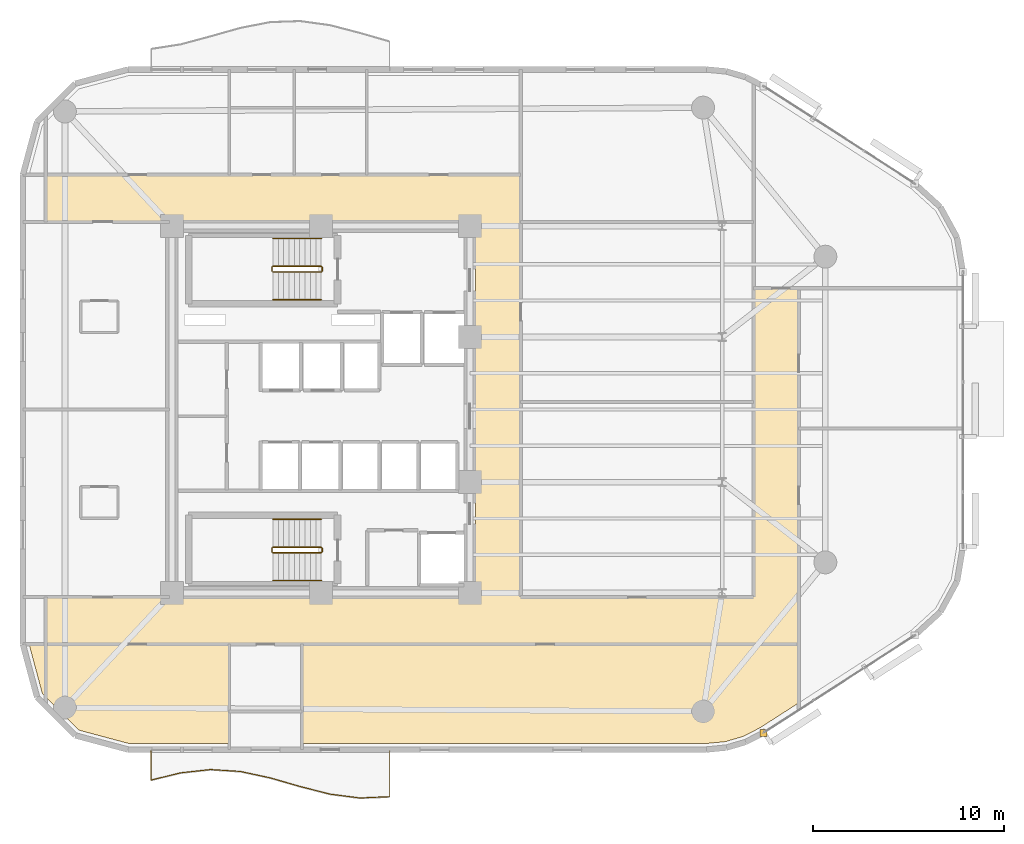
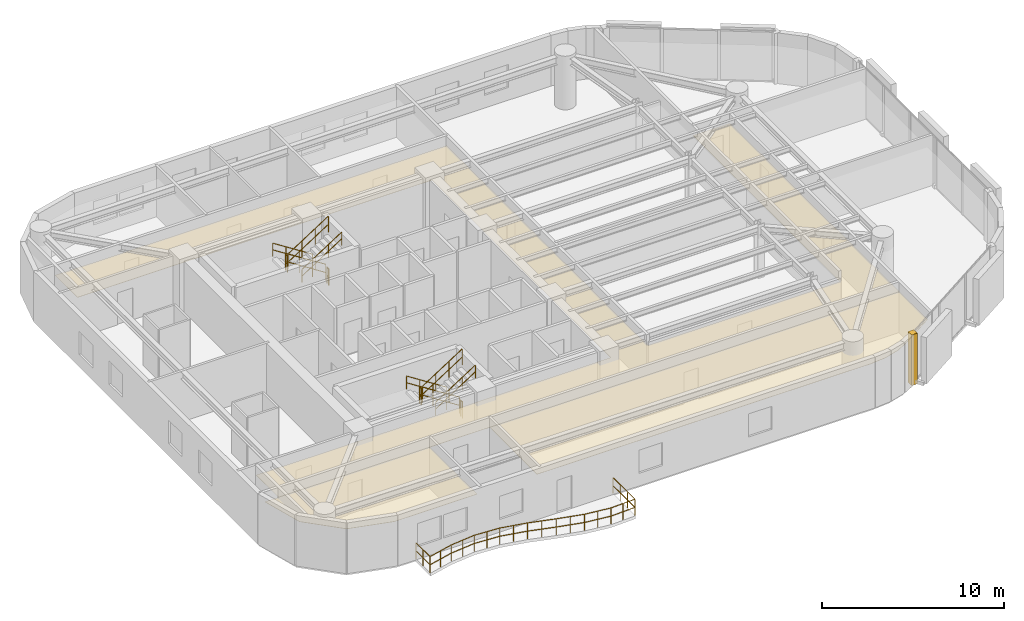
# One storey, part 14 of 15: 13 railings, 4 coverings.
"""IFC4 building model written with IfcOpenShell, lengths in metres."""

from ifc_helpers import new_model, si_unit, direction, frame, origin, origin_2d, place, context, subcontext, project, spatial, polyline, rectangle, circle, outline, extrude, material, layer, layer_set, type_object, element, save


model = new_model("IFC4")

# Units and contexts
model_context = context("Model", 3, precision=1e-05, world=origin(), true_north=direction((0.0, 1.0)))
body_context = subcontext(model_context, "Body", "Model", "MODEL_VIEW")
ifc_project = project(units=[si_unit("LENGTHUNIT", "METRE"), si_unit("AREAUNIT", "SQUARE_METRE"), si_unit("VOLUMEUNIT", "CUBIC_METRE"), si_unit("PLANEANGLEUNIT", "RADIAN"), si_unit("MASSUNIT", "GRAM", prefix="KILO")], contexts=[model_context])

# Site, building, storey
site_placement = place(None, origin())
site = spatial("IfcSite", under=ifc_project, at=site_placement, CompositionType="ELEMENT")
building_placement = place(site_placement, origin())
building = spatial("IfcBuilding", under=site, at=building_placement, Name="An Khanh Terracotta Commons", CompositionType="ELEMENT")
storey_placement = place(building_placement, frame((0.0, 0.0, 165.39990234375)))
storey = spatial("IfcBuildingStorey", under=building, at=storey_placement, Name="L43", CompositionType="ELEMENT", Elevation=165.39990234375)

# Coverings
ifc_material_1 = material(Name="Perforated Mineral-Fibre Acoustic Tile")
ifc_layer_1 = layer(ifc_material_1, 0.02001953125, Name="Perforated Mineral-Fibre Acoustic Tile")
ifc_layer_set_1 = layer_set([ifc_layer_1], Name="Perforated Mineral-Fibre Acoustic Tile")
covering_type_1 = type_object("IfcCoveringType", Name="CEIL-ACOUSTIC-18", PredefinedType="CEILING", material=ifc_layer_set_1)
covering_1_placement = place(storey_placement, frame((0.0, 0.0, 2.650146484375)))
element("IfcCovering", 1, at=covering_1_placement, inside=storey, type_object=covering_type_1, Name="L43 Corridor Ceiling", PredefinedType="CEILING", context=body_context, shape_type="SweptSolid", body=[
    extrude(outline(polyline([(52.050048828125, 30.35009765625), (54.39990234375, 30.35009765625), (54.39990234375, 14.179931640625), (54.39990234375, 11.719970703125), (52.050048828125, 11.719970703125), (39.85009765625, 11.719970703125), (37.5, 11.719970703125), (15.0, 11.719970703125), (15.0, 14.179931640625), (37.5, 14.179931640625), (37.5, 33.820068359375), (15.0, 33.820068359375), (15.0, 36.280029296875), (37.5, 36.280029296875), (39.85009765625, 36.280029296875), (39.85009765625, 33.820068359375), (39.85009765625, 14.179931640625), (52.050048828125, 14.179931640625), (52.050048828125, 30.35009765625)])), origin(), (0.0, 0.0, 1.0), 0.02001953125),
])
covering_2_placement = place(storey_placement, frame((0.0, 0.0, 2.650146484375)))
element("IfcCovering", 2, at=covering_2_placement, inside=storey, type_object=covering_type_1, Name="L43 Academic Seminar Room Ceiling", PredefinedType="CEILING", context=body_context, shape_type="SweptSolid", body=[
    extrude(outline(polyline([(19.342041015625, 6.52001953125), (16.716064453125, 7.22412109375), (14.823974609375, 9.115966796875), (14.1259765625, 11.719970703125), (15.0, 11.719970703125), (24.60009765625, 11.719970703125), (24.60009765625, 8.199951171875), (24.60009765625, 6.52001953125), (19.342041015625, 6.52001953125)])), origin(), (0.0, 0.0, 1.0), 0.02001953125),
])
covering_3_placement = place(storey_placement, frame((0.0, 0.0, 2.650146484375)))
element("IfcCovering", 3, at=covering_3_placement, inside=storey, type_object=covering_type_1, Name="L43 Academic Seminar Room Ceiling", PredefinedType="CEILING", context=body_context, shape_type="SweptSolid", body=[
    extrude(outline(polyline([(52.39892578125, 7.35302734375), (51.510009765625, 6.89306640625), (50.56396484375, 6.615966796875), (49.56689453125, 6.52001953125), (28.39990234375, 6.52001953125), (28.39990234375, 8.199951171875), (28.39990234375, 11.719970703125), (37.5, 11.719970703125), (39.85009765625, 11.719970703125), (52.050048828125, 11.719970703125), (54.39990234375, 11.719970703125), (54.39990234375, 8.64208984375), (52.39892578125, 7.35302734375)])), origin(), (0.0, 0.0, 1.0), 0.02001953125),
])
ifc_material_2 = material(Name="Fired Terracotta Rainscreen Cladding", Category="masonry")
ifc_layer_2 = layer(ifc_material_2, 0.080078125, Name="Fired Terracotta Rainscreen Cladding")
ifc_layer_set_2 = layer_set([ifc_layer_2], Name="Fired Terracotta Rainscreen Cladding")
covering_type_2 = type_object("IfcCoveringType", Name="COV-JAMB-TERRA", PredefinedType="CLADDING", material=ifc_layer_set_2)
covering_4_placement = place(storey_placement, frame((52.56005859375, 7.075927734375, 0.000244140625), z_axis=(0.0, 0.0, 1.0), x_axis=(1.0, 0.0, 0.0)))
element("IfcCovering", 4, at=covering_4_placement, inside=storey, type_object=covering_type_2, Name="L43 CW-03 Curtain-Wall Jamb Closure JA", PredefinedType="CLADDING", context=body_context, shape_type="SweptSolid", body=[
    extrude(rectangle(XDim=0.3798828125, YDim=0.3798828125, at=origin_2d()), origin(), (0.0, 0.0, 1.0), 3.39990234375),
])

# Railings
ifc_material_3 = material(Name="Brushed Stainless Steel 316", Category="steel")
railing_type_1 = type_object("IfcRailingType", Name="RAIL-BALUSTRADE-1100", PredefinedType="BALUSTRADE", material=ifc_material_3)
railing_1_placement = place(storey_placement, frame((20.5, 6.139892578125, 0.0)))
element("IfcRailing", 5, at=railing_1_placement, inside=storey, type_object=railing_type_1, Name="L43 S Wave Balcony Guard Balustrade", PredefinedType="BALUSTRADE", context=body_context, shape_type="SweptSolid", body=[
    extrude(circle(Radius=0.02392578125, at=origin_2d()), frame((0.0, 0.0, 1.076171875), z_axis=(0.0, -1.0, 0.0), x_axis=(1.0, 0.0, 0.0)), (0.0, 0.0, 1.0), 1.535888671875),
    extrude(circle(Radius=0.02392578125, at=origin_2d()), frame((0.0, 0.0, 0.52587890625), z_axis=(0.0, -1.0, 0.0), x_axis=(1.0, 0.0, 0.0)), (0.0, 0.0, 1.0), 1.535888671875),
    extrude(circle(Radius=0.02392578125, at=origin_2d()), frame((0.0, -1.535888671875, 1.076171875), z_axis=(0.971362418831, 0.237602717329, 0.0), x_axis=(-0.237602717329, 0.971362418831, 0.0)), (0.0, 0.0, 1.0), 1.608154296875),
    extrude(circle(Radius=0.02392578125, at=origin_2d()), frame((0.0, -1.535888671875, 0.52587890625), z_axis=(0.971362418831, 0.237602717329, 0.0), x_axis=(-0.237602717329, 0.971362418831, 0.0)), (0.0, 0.0, 1.0), 1.608154296875),
    extrude(circle(Radius=0.02392578125, at=origin_2d()), frame((1.56201171875, -1.15380859375, 1.076171875), z_axis=(0.994075362364, 0.108693026188, 0.0), x_axis=(-0.108693026188, 0.994075362364, 0.0)), (0.0, 0.0, 1.0), 1.572265625),
    extrude(circle(Radius=0.02392578125, at=origin_2d()), frame((1.56201171875, -1.15380859375, 0.52587890625), z_axis=(0.994075362364, 0.108693026188, 0.0), x_axis=(-0.108693026188, 0.994075362364, 0.0)), (0.0, 0.0, 1.0), 1.572265625),
    extrude(circle(Radius=0.02392578125, at=origin_2d()), frame((3.125, -0.98291015625, 1.076171875), z_axis=(0.997915605914, -0.064532499352, 0.0), x_axis=(0.064532499352, 0.997915605914, 0.0)), (0.0, 0.0, 1.0), 1.566162109375),
    extrude(circle(Radius=0.02392578125, at=origin_2d()), frame((3.125, -0.98291015625, 0.52587890625), z_axis=(0.997915605914, -0.064532499352, 0.0), x_axis=(0.064532499352, 0.997915605914, 0.0)), (0.0, 0.0, 1.0), 1.566162109375),
    extrude(circle(Radius=0.02392578125, at=origin_2d()), frame((4.68798828125, -1.083984375, 1.076171875), z_axis=(0.977645609392, -0.210259512117, 0.0), x_axis=(0.210259512117, 0.977645609392, 0.0)), (0.0, 0.0, 1.0), 1.59765625),
    extrude(circle(Radius=0.02392578125, at=origin_2d()), frame((4.68798828125, -1.083984375, 0.52587890625), z_axis=(0.977645609392, -0.210259512117, 0.0), x_axis=(0.210259512117, 0.977645609392, 0.0)), (0.0, 0.0, 1.0), 1.59765625),
    extrude(circle(Radius=0.02392578125, at=origin_2d()), frame((6.25, -1.419921875, 1.076171875), z_axis=(0.960926592464, -0.276803330715, 0.0), x_axis=(0.276803330715, 0.960926592464, 0.0)), (0.0, 0.0, 1.0), 1.62548828125),
    extrude(circle(Radius=0.02392578125, at=origin_2d()), frame((6.25, -1.419921875, 0.52587890625), z_axis=(0.960926592464, -0.276803330715, 0.0), x_axis=(0.276803330715, 0.960926592464, 0.0)), (0.0, 0.0, 1.0), 1.62548828125),
    extrude(circle(Radius=0.02392578125, at=origin_2d()), frame((7.81201171875, -1.869873046875, 1.076171875), z_axis=(0.968937775843, -0.247304643194, 0.0), x_axis=(0.247304643194, 0.968937775843, 0.0)), (0.0, 0.0, 1.0), 1.613037109375),
    extrude(circle(Radius=0.02392578125, at=origin_2d()), frame((7.81201171875, -1.869873046875, 0.52587890625), z_axis=(0.968937775843, -0.247304643194, 0.0), x_axis=(0.247304643194, 0.968937775843, 0.0)), (0.0, 0.0, 1.0), 1.613037109375),
    extrude(circle(Radius=0.02392578125, at=origin_2d()), frame((9.375, -2.268798828125, 1.076171875), z_axis=(0.991739768924, -0.128266249402, 0.0), x_axis=(0.128266249402, 0.991739768924, 0.0)), (0.0, 0.0, 1.0), 1.575927734375),
    extrude(circle(Radius=0.02392578125, at=origin_2d()), frame((9.375, -2.268798828125, 0.52587890625), z_axis=(0.991739768924, -0.128266249402, 0.0), x_axis=(0.128266249402, 0.991739768924, 0.0)), (0.0, 0.0, 1.0), 1.575927734375),
    extrude(circle(Radius=0.02392578125, at=origin_2d()), frame((10.93798828125, -2.470947265625, 1.076171875), z_axis=(0.999050552213, 0.043565974378, 0.0), x_axis=(-0.043565974378, 0.999050552213, 0.0)), (0.0, 0.0, 1.0), 1.5634765625),
    extrude(circle(Radius=0.02392578125, at=origin_2d()), frame((10.93798828125, -2.470947265625, 0.52587890625), z_axis=(0.999050552213, 0.043565974378, 0.0), x_axis=(-0.043565974378, 0.999050552213, 0.0)), (0.0, 0.0, 1.0), 1.5634765625),
    extrude(circle(Radius=0.02392578125, at=origin_2d()), frame((12.5, -2.40283203125, 1.076171875), z_axis=(0.0, 1.0, 0.0), x_axis=(-1.0, 0.0, 0.0)), (0.0, 0.0, 1.0), 2.40283203125),
    extrude(circle(Radius=0.02392578125, at=origin_2d()), frame((12.5, -2.40283203125, 0.52587890625), z_axis=(0.0, 1.0, 0.0), x_axis=(-1.0, 0.0, 0.0)), (0.0, 0.0, 1.0), 2.40283203125),
    extrude(circle(Radius=0.02099609375, at=origin_2d()), origin(), (0.0, 0.0, 1.0), 1.052001953125),
    extrude(circle(Radius=0.02099609375, at=origin_2d()), frame((0.0, -0.76806640625, 0.0)), (0.0, 0.0, 1.0), 1.052001953125),
    extrude(circle(Radius=0.02099609375, at=origin_2d()), frame((0.0, -1.535888671875, 0.0)), (0.0, 0.0, 1.0), 1.052001953125),
    extrude(circle(Radius=0.02099609375, at=origin_2d()), frame((0.781005859375, -1.3447265625, 0.0)), (0.0, 0.0, 1.0), 1.052001953125),
    extrude(circle(Radius=0.02099609375, at=origin_2d()), frame((1.56201171875, -1.15380859375, 0.0)), (0.0, 0.0, 1.0), 1.052001953125),
    extrude(circle(Radius=0.02099609375, at=origin_2d()), frame((2.343505859375, -1.068359375, 0.0)), (0.0, 0.0, 1.0), 1.052001953125),
    extrude(circle(Radius=0.02099609375, at=origin_2d()), frame((3.125, -0.98291015625, 0.0)), (0.0, 0.0, 1.0), 1.052001953125),
    extrude(circle(Radius=0.02099609375, at=origin_2d()), frame((3.906494140625, -1.033447265625, 0.0)), (0.0, 0.0, 1.0), 1.052001953125),
    extrude(circle(Radius=0.02099609375, at=origin_2d()), frame((4.68798828125, -1.083984375, 0.0)), (0.0, 0.0, 1.0), 1.052001953125),
    extrude(circle(Radius=0.02099609375, at=origin_2d()), frame((5.468994140625, -1.251953125, 0.0)), (0.0, 0.0, 1.0), 1.052001953125),
    extrude(circle(Radius=0.02099609375, at=origin_2d()), frame((6.25, -1.419921875, 0.0)), (0.0, 0.0, 1.0), 1.052001953125),
    extrude(circle(Radius=0.02099609375, at=origin_2d()), frame((7.031005859375, -1.64501953125, 0.0)), (0.0, 0.0, 1.0), 1.052001953125),
    extrude(circle(Radius=0.02099609375, at=origin_2d()), frame((7.81201171875, -1.869873046875, 0.0)), (0.0, 0.0, 1.0), 1.052001953125),
    extrude(circle(Radius=0.02099609375, at=origin_2d()), frame((8.593505859375, -2.0693359375, 0.0)), (0.0, 0.0, 1.0), 1.052001953125),
    extrude(circle(Radius=0.02099609375, at=origin_2d()), frame((9.375, -2.268798828125, 0.0)), (0.0, 0.0, 1.0), 1.052001953125),
    extrude(circle(Radius=0.02099609375, at=origin_2d()), frame((10.156494140625, -2.369873046875, 0.0)), (0.0, 0.0, 1.0), 1.052001953125),
    extrude(circle(Radius=0.02099609375, at=origin_2d()), frame((10.93798828125, -2.470947265625, 0.0)), (0.0, 0.0, 1.0), 1.052001953125),
    extrude(circle(Radius=0.02099609375, at=origin_2d()), frame((11.718994140625, -2.43701171875, 0.0)), (0.0, 0.0, 1.0), 1.052001953125),
    extrude(circle(Radius=0.02099609375, at=origin_2d()), frame((12.5, -2.40283203125, 0.0)), (0.0, 0.0, 1.0), 1.052001953125),
    extrude(circle(Radius=0.02099609375, at=origin_2d()), frame((12.5, -1.601806640625, 0.0)), (0.0, 0.0, 1.0), 1.052001953125),
    extrude(circle(Radius=0.02099609375, at=origin_2d()), frame((12.5, -0.801025390625, 0.0)), (0.0, 0.0, 1.0), 1.052001953125),
    extrude(circle(Radius=0.02099609375, at=origin_2d()), frame((12.5, 0.0, 0.0)), (0.0, 0.0, 1.0), 1.052001953125),
])
railing_type_2 = type_object("IfcRailingType", Name="RAIL-HANDRAIL-900", PredefinedType="HANDRAIL", material=ifc_material_3)
railing_2_placement = place(storey_placement, frame((29.409912109375, 32.949951171875, 0.18017578125)))
element("IfcRailing", 6, at=railing_2_placement, inside=storey, type_object=railing_type_2, Name="L43 ST-01 stair handrail 1", PredefinedType="HANDRAIL", context=body_context, shape_type="SweptSolid", body=[
    extrude(circle(Radius=0.02392578125, at=origin_2d()), frame((0.0, 0.0, 0.8759765625), z_axis=(-0.841199657755, 0.0, 0.540724639528), x_axis=(0.0, -1.0, 0.0)), (0.0, 0.0, 1.0), 2.995849609375),
    extrude(circle(Radius=0.02392578125, at=origin_2d()), frame((0.0, 0.0, 0.42578125), z_axis=(-0.841199657755, 0.0, 0.540724639528), x_axis=(0.0, -1.0, 0.0)), (0.0, 0.0, 1.0), 2.995849609375),
    extrude(circle(Radius=0.02099609375, at=origin_2d()), origin(), (0.0, 0.0, 1.0), 0.851806640625),
    extrude(circle(Radius=0.02099609375, at=origin_2d()), frame((-0.840087890625, 0.0, 0.5400390625)), (0.0, 0.0, 1.0), 0.851806640625),
    extrude(circle(Radius=0.02099609375, at=origin_2d()), frame((-1.679931640625, 0.0, 1.079833984375)), (0.0, 0.0, 1.0), 0.851806640625),
    extrude(circle(Radius=0.02099609375, at=origin_2d()), frame((-2.52001953125, 0.0, 1.619873046875)), (0.0, 0.0, 1.0), 0.851806640625),
])
railing_3_placement = place(storey_placement, frame((26.889892578125, 29.75, 1.97998046875)))
element("IfcRailing", 7, at=railing_3_placement, inside=storey, type_object=railing_type_2, Name="L43 ST-01 stair handrail 2", PredefinedType="HANDRAIL", context=body_context, shape_type="SweptSolid", body=[
    extrude(circle(Radius=0.02392578125, at=origin_2d()), frame((0.0, 0.0, 0.8759765625), z_axis=(0.841162588446, 0.0, 0.540782303519), x_axis=(0.0, 1.0, 0.0)), (0.0, 0.0, 1.0), 2.995849609375),
    extrude(circle(Radius=0.02392578125, at=origin_2d()), frame((0.0, 0.0, 0.42578125), z_axis=(0.841162588446, 0.0, 0.540782303519), x_axis=(0.0, 1.0, 0.0)), (0.0, 0.0, 1.0), 2.995849609375),
    extrude(circle(Radius=0.02099609375, at=origin_2d()), origin(), (0.0, 0.0, 1.0), 0.851806640625),
    extrude(circle(Radius=0.02099609375, at=origin_2d()), frame((0.840087890625, 0.0, 0.5400390625)), (0.0, 0.0, 1.0), 0.851806640625),
    extrude(circle(Radius=0.02099609375, at=origin_2d()), frame((1.679931640625, 0.0, 1.080078125)), (0.0, 0.0, 1.0), 0.851806640625),
    extrude(circle(Radius=0.02099609375, at=origin_2d()), frame((2.52001953125, 0.0, 1.6201171875)), (0.0, 0.0, 1.0), 0.851806640625),
])
railing_4_placement = place(storey_placement, frame((29.409912109375, 18.25, 0.18017578125)))
element("IfcRailing", 8, at=railing_4_placement, inside=storey, type_object=railing_type_2, Name="L43 ST-02 stair handrail 1", PredefinedType="HANDRAIL", context=body_context, shape_type="SweptSolid", body=[
    extrude(circle(Radius=0.02392578125, at=origin_2d()), frame((0.0, 0.0, 0.8759765625), z_axis=(-0.841199657755, 0.0, 0.540724639528), x_axis=(0.0, -1.0, 0.0)), (0.0, 0.0, 1.0), 2.995849609375),
    extrude(circle(Radius=0.02392578125, at=origin_2d()), frame((0.0, 0.0, 0.42578125), z_axis=(-0.841199657755, 0.0, 0.540724639528), x_axis=(0.0, -1.0, 0.0)), (0.0, 0.0, 1.0), 2.995849609375),
    extrude(circle(Radius=0.02099609375, at=origin_2d()), origin(), (0.0, 0.0, 1.0), 0.851806640625),
    extrude(circle(Radius=0.02099609375, at=origin_2d()), frame((-0.840087890625, 0.0, 0.5400390625)), (0.0, 0.0, 1.0), 0.851806640625),
    extrude(circle(Radius=0.02099609375, at=origin_2d()), frame((-1.679931640625, 0.0, 1.079833984375)), (0.0, 0.0, 1.0), 0.851806640625),
    extrude(circle(Radius=0.02099609375, at=origin_2d()), frame((-2.52001953125, 0.0, 1.619873046875)), (0.0, 0.0, 1.0), 0.851806640625),
])
railing_5_placement = place(storey_placement, frame((26.889892578125, 15.050048828125, 1.97998046875)))
element("IfcRailing", 9, at=railing_5_placement, inside=storey, type_object=railing_type_2, Name="L43 ST-02 stair handrail 2", PredefinedType="HANDRAIL", context=body_context, shape_type="SweptSolid", body=[
    extrude(circle(Radius=0.02392578125, at=origin_2d()), frame((0.0, 0.0, 0.8759765625), z_axis=(0.841162588446, 0.0, 0.540782303519), x_axis=(0.0, 1.0, 0.0)), (0.0, 0.0, 1.0), 2.995849609375),
    extrude(circle(Radius=0.02392578125, at=origin_2d()), frame((0.0, 0.0, 0.42578125), z_axis=(0.841162588446, 0.0, 0.540782303519), x_axis=(0.0, 1.0, 0.0)), (0.0, 0.0, 1.0), 2.995849609375),
    extrude(circle(Radius=0.02099609375, at=origin_2d()), origin(), (0.0, 0.0, 1.0), 0.851806640625),
    extrude(circle(Radius=0.02099609375, at=origin_2d()), frame((0.840087890625, 0.0, 0.5400390625)), (0.0, 0.0, 1.0), 0.851806640625),
    extrude(circle(Radius=0.02099609375, at=origin_2d()), frame((1.679931640625, 0.0, 1.080078125)), (0.0, 0.0, 1.0), 0.851806640625),
    extrude(circle(Radius=0.02099609375, at=origin_2d()), frame((2.52001953125, 0.0, 1.6201171875)), (0.0, 0.0, 1.0), 0.851806640625),
])
ifc_material_4 = material(Name="Powder-Coated Steel S355J2", Category="steel")
railing_type_3 = type_object("IfcRailingType", Name="RAIL-STAIR-GUARD-1100", PredefinedType="BALUSTRADE", material=ifc_material_4)
railing_6_placement = place(storey_placement, frame((29.409912109375, 31.5, 0.18017578125)))
element("IfcRailing", 10, at=railing_6_placement, inside=storey, type_object=railing_type_3, Name="L43 ST-01 stair guard 1", PredefinedType="BALUSTRADE", context=body_context, shape_type="SweptSolid", body=[
    extrude(circle(Radius=0.02392578125, at=origin_2d()), frame((0.0, 0.0, 1.076171875), z_axis=(-0.841199657755, 0.0, 0.540724639528), x_axis=(0.0, -1.0, 0.0)), (0.0, 0.0, 1.0), 2.995849609375),
    extrude(circle(Radius=0.02392578125, at=origin_2d()), frame((0.0, 0.0, 0.52587890625), z_axis=(-0.841199657755, 0.0, 0.540724639528), x_axis=(0.0, -1.0, 0.0)), (0.0, 0.0, 1.0), 2.995849609375),
    extrude(circle(Radius=0.02099609375, at=origin_2d()), origin(), (0.0, 0.0, 1.0), 1.052001953125),
    extrude(circle(Radius=0.02099609375, at=origin_2d()), frame((-0.840087890625, 0.0, 0.5400390625)), (0.0, 0.0, 1.0), 1.052001953125),
    extrude(circle(Radius=0.02099609375, at=origin_2d()), frame((-1.679931640625, 0.0, 1.079833984375)), (0.0, 0.0, 1.0), 1.052001953125),
    extrude(circle(Radius=0.02099609375, at=origin_2d()), frame((-2.52001953125, 0.0, 1.619873046875)), (0.0, 0.0, 1.0), 1.052001953125),
])
railing_7_placement = place(storey_placement, frame((26.840087890625, 31.449951171875, 1.800048828125)))
element("IfcRailing", 11, at=railing_7_placement, inside=storey, type_object=railing_type_3, Name="L43 ST-01 stair guard 2", PredefinedType="BALUSTRADE", context=body_context, shape_type="SweptSolid", body=[
    extrude(circle(Radius=0.02392578125, at=origin_2d()), frame((0.0, 0.0, 1.076171875), z_axis=(0.0, -1.0, 0.0), x_axis=(1.0, 0.0, 0.0)), (0.0, 0.0, 1.0), 0.199951171875),
    extrude(circle(Radius=0.02392578125, at=origin_2d()), frame((0.0, 0.0, 0.52587890625), z_axis=(0.0, -1.0, 0.0), x_axis=(1.0, 0.0, 0.0)), (0.0, 0.0, 1.0), 0.199951171875),
    extrude(circle(Radius=0.02099609375, at=origin_2d()), origin(), (0.0, 0.0, 1.0), 1.052001953125),
    extrude(circle(Radius=0.02099609375, at=origin_2d()), frame((0.0, -0.199951171875, 0.0)), (0.0, 0.0, 1.0), 1.052001953125),
])
railing_8_placement = place(storey_placement, frame((26.889892578125, 31.199951171875, 1.97998046875)))
element("IfcRailing", 12, at=railing_8_placement, inside=storey, type_object=railing_type_3, Name="L43 ST-01 stair guard 3", PredefinedType="BALUSTRADE", context=body_context, shape_type="SweptSolid", body=[
    extrude(circle(Radius=0.02392578125, at=origin_2d()), frame((0.0, 0.0, 1.076171875), z_axis=(0.841162588446, 0.0, 0.540782303519), x_axis=(0.0, 1.0, 0.0)), (0.0, 0.0, 1.0), 2.995849609375),
    extrude(circle(Radius=0.02392578125, at=origin_2d()), frame((0.0, 0.0, 0.52587890625), z_axis=(0.841162588446, 0.0, 0.540782303519), x_axis=(0.0, 1.0, 0.0)), (0.0, 0.0, 1.0), 2.995849609375),
    extrude(circle(Radius=0.02099609375, at=origin_2d()), origin(), (0.0, 0.0, 1.0), 1.052001953125),
    extrude(circle(Radius=0.02099609375, at=origin_2d()), frame((0.840087890625, 0.0, 0.5400390625)), (0.0, 0.0, 1.0), 1.052001953125),
    extrude(circle(Radius=0.02099609375, at=origin_2d()), frame((1.679931640625, 0.0, 1.080078125)), (0.0, 0.0, 1.0), 1.052001953125),
    extrude(circle(Radius=0.02099609375, at=origin_2d()), frame((2.52001953125, 0.0, 1.6201171875)), (0.0, 0.0, 1.0), 1.052001953125),
])
railing_9_placement = place(storey_placement, frame((29.4599609375, 31.449951171875, 0.0)))
element("IfcRailing", 13, at=railing_9_placement, inside=storey, type_object=railing_type_3, Name="L43 ST-01 stair guard 4", PredefinedType="BALUSTRADE", context=body_context, shape_type="SweptSolid", body=[
    extrude(circle(Radius=0.02392578125, at=origin_2d()), frame((0.0, 0.0, 1.076171875), z_axis=(0.0, -1.0, 0.0), x_axis=(1.0, 0.0, 0.0)), (0.0, 0.0, 1.0), 0.199951171875),
    extrude(circle(Radius=0.02392578125, at=origin_2d()), frame((0.0, 0.0, 0.52587890625), z_axis=(0.0, -1.0, 0.0), x_axis=(1.0, 0.0, 0.0)), (0.0, 0.0, 1.0), 0.199951171875),
    extrude(circle(Radius=0.02099609375, at=origin_2d()), origin(), (0.0, 0.0, 1.0), 1.052001953125),
    extrude(circle(Radius=0.02099609375, at=origin_2d()), frame((0.0, -0.199951171875, 0.0)), (0.0, 0.0, 1.0), 1.052001953125),
])
railing_10_placement = place(storey_placement, frame((29.409912109375, 16.800048828125, 0.18017578125)))
element("IfcRailing", 14, at=railing_10_placement, inside=storey, type_object=railing_type_3, Name="L43 ST-02 stair guard 1", PredefinedType="BALUSTRADE", context=body_context, shape_type="SweptSolid", body=[
    extrude(circle(Radius=0.02392578125, at=origin_2d()), frame((0.0, 0.0, 1.076171875), z_axis=(-0.841199657755, 0.0, 0.540724639528), x_axis=(0.0, -1.0, 0.0)), (0.0, 0.0, 1.0), 2.995849609375),
    extrude(circle(Radius=0.02392578125, at=origin_2d()), frame((0.0, 0.0, 0.52587890625), z_axis=(-0.841199657755, 0.0, 0.540724639528), x_axis=(0.0, -1.0, 0.0)), (0.0, 0.0, 1.0), 2.995849609375),
    extrude(circle(Radius=0.02099609375, at=origin_2d()), origin(), (0.0, 0.0, 1.0), 1.052001953125),
    extrude(circle(Radius=0.02099609375, at=origin_2d()), frame((-0.840087890625, 0.0, 0.5400390625)), (0.0, 0.0, 1.0), 1.052001953125),
    extrude(circle(Radius=0.02099609375, at=origin_2d()), frame((-1.679931640625, 0.0, 1.079833984375)), (0.0, 0.0, 1.0), 1.052001953125),
    extrude(circle(Radius=0.02099609375, at=origin_2d()), frame((-2.52001953125, 0.0, 1.619873046875)), (0.0, 0.0, 1.0), 1.052001953125),
])
railing_11_placement = place(storey_placement, frame((26.840087890625, 16.75, 1.800048828125)))
element("IfcRailing", 15, at=railing_11_placement, inside=storey, type_object=railing_type_3, Name="L43 ST-02 stair guard 2", PredefinedType="BALUSTRADE", context=body_context, shape_type="SweptSolid", body=[
    extrude(circle(Radius=0.02392578125, at=origin_2d()), frame((0.0, 0.0, 1.076171875), z_axis=(0.0, -1.0, 0.0), x_axis=(1.0, 0.0, 0.0)), (0.0, 0.0, 1.0), 0.199951171875),
    extrude(circle(Radius=0.02392578125, at=origin_2d()), frame((0.0, 0.0, 0.52587890625), z_axis=(0.0, -1.0, 0.0), x_axis=(1.0, 0.0, 0.0)), (0.0, 0.0, 1.0), 0.199951171875),
    extrude(circle(Radius=0.02099609375, at=origin_2d()), origin(), (0.0, 0.0, 1.0), 1.052001953125),
    extrude(circle(Radius=0.02099609375, at=origin_2d()), frame((0.0, -0.199951171875, 0.0)), (0.0, 0.0, 1.0), 1.052001953125),
])
railing_12_placement = place(storey_placement, frame((26.889892578125, 16.5, 1.97998046875)))
element("IfcRailing", 16, at=railing_12_placement, inside=storey, type_object=railing_type_3, Name="L43 ST-02 stair guard 3", PredefinedType="BALUSTRADE", context=body_context, shape_type="SweptSolid", body=[
    extrude(circle(Radius=0.02392578125, at=origin_2d()), frame((0.0, 0.0, 1.076171875), z_axis=(0.841162588446, 0.0, 0.540782303519), x_axis=(0.0, 1.0, 0.0)), (0.0, 0.0, 1.0), 2.995849609375),
    extrude(circle(Radius=0.02392578125, at=origin_2d()), frame((0.0, 0.0, 0.52587890625), z_axis=(0.841162588446, 0.0, 0.540782303519), x_axis=(0.0, 1.0, 0.0)), (0.0, 0.0, 1.0), 2.995849609375),
    extrude(circle(Radius=0.02099609375, at=origin_2d()), origin(), (0.0, 0.0, 1.0), 1.052001953125),
    extrude(circle(Radius=0.02099609375, at=origin_2d()), frame((0.840087890625, 0.0, 0.5400390625)), (0.0, 0.0, 1.0), 1.052001953125),
    extrude(circle(Radius=0.02099609375, at=origin_2d()), frame((1.679931640625, 0.0, 1.080078125)), (0.0, 0.0, 1.0), 1.052001953125),
    extrude(circle(Radius=0.02099609375, at=origin_2d()), frame((2.52001953125, 0.0, 1.6201171875)), (0.0, 0.0, 1.0), 1.052001953125),
])
railing_13_placement = place(storey_placement, frame((29.4599609375, 16.75, 0.0)))
element("IfcRailing", 17, at=railing_13_placement, inside=storey, type_object=railing_type_3, Name="L43 ST-02 stair guard 4", PredefinedType="BALUSTRADE", context=body_context, shape_type="SweptSolid", body=[
    extrude(circle(Radius=0.02392578125, at=origin_2d()), frame((0.0, 0.0, 1.076171875), z_axis=(0.0, -1.0, 0.0), x_axis=(1.0, 0.0, 0.0)), (0.0, 0.0, 1.0), 0.199951171875),
    extrude(circle(Radius=0.02392578125, at=origin_2d()), frame((0.0, 0.0, 0.52587890625), z_axis=(0.0, -1.0, 0.0), x_axis=(1.0, 0.0, 0.0)), (0.0, 0.0, 1.0), 0.199951171875),
    extrude(circle(Radius=0.02099609375, at=origin_2d()), origin(), (0.0, 0.0, 1.0), 1.052001953125),
    extrude(circle(Radius=0.02099609375, at=origin_2d()), frame((0.0, -0.199951171875, 0.0)), (0.0, 0.0, 1.0), 1.052001953125),
])

save(model, "model.ifc")
